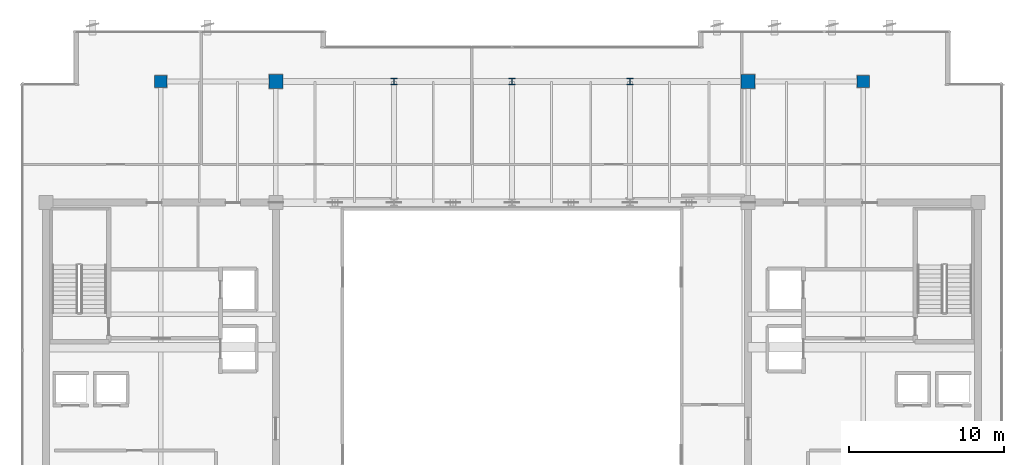
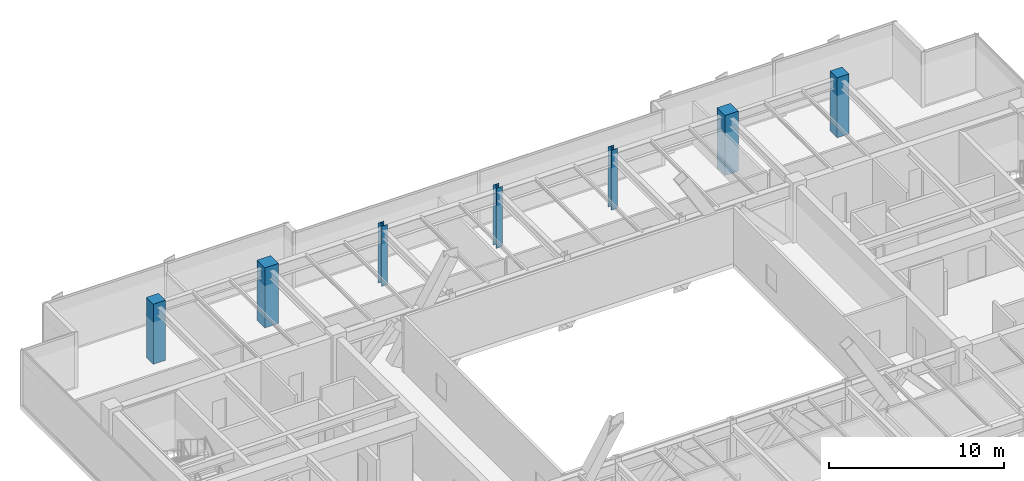
# One storey, part 3 of 32: 7 columns.
"""IFC4 building model written with IfcOpenShell, lengths in metres."""

from ifc_helpers import new_model, si_unit, direction, frame, origin, origin_2d, place, context, subcontext, project, spatial, rectangle, i_section, extrude, source, transform, mapped, material, material_profile, profile_set, type_object, type_shapes, element, save


model = new_model("IFC4")

# Units and contexts
model_context = context("Model", 3, precision=1e-05, world=origin(), true_north=direction((0.0, 1.0)))
body_context = subcontext(model_context, "Body", "Model", "MODEL_VIEW")
ifc_project = project(units=[si_unit("LENGTHUNIT", "METRE"), si_unit("AREAUNIT", "SQUARE_METRE"), si_unit("VOLUMEUNIT", "CUBIC_METRE"), si_unit("PLANEANGLEUNIT", "RADIAN"), si_unit("MASSUNIT", "GRAM", prefix="KILO")], contexts=[model_context])

# Site, building, storey
site_placement = place(None, origin())
site = spatial("IfcSite", under=ifc_project, at=site_placement, CompositionType="ELEMENT")
building_placement = place(site_placement, origin())
building = spatial("IfcBuilding", under=site, at=building_placement, Name="Haelvirn Gate Laboratories", CompositionType="ELEMENT")
storey_placement = place(building_placement, frame((0.0, 0.0, 306.0)))
storey = spatial("IfcBuildingStorey", under=building, at=storey_placement, Name="L73", CompositionType="ELEMENT", Elevation=306.0)

# Columns
ifc_material_1 = material(Name="Concrete C50/60", Category="concrete")
ifc_material_profile_1 = material_profile(ifc_material_1, rectangle(XDim=0.800048828125, YDim=0.800048828125, at=origin_2d()), Name="RC-800x800")
ifc_profile_set_1 = profile_set([ifc_material_profile_1], Name="Concrete C50/60")
column_type_1 = type_object("IfcColumnType", Name="COL-RC-800", PredefinedType="COLUMN", material=ifc_profile_set_1)
shared_shape_1 = source(origin(), body_context, "Body", "SweptSolid", [
    extrude(rectangle(XDim=0.800048828125, YDim=0.800048828125, at=origin_2d()), origin(), (0.0, 0.0, 1.0), 4.199951171875),
])
type_shapes(column_type_1, [shared_shape_1])
for number, where, z_axis, x_axis, name in (
    (1, (14.800048828125, 41.60009765625, 0.0), (0.0, 0.0, 1.0), (1.0, 0.0, 0.0), "L73 Column 3G"),
    (2, (60.0, 41.60009765625, 0.0), (0.0, 0.0, 1.0), (1.0, 0.0, 0.0), "L73 Column 9G"),
):
    element("IfcColumn", number, at=place(storey_placement, frame(where, z_axis=z_axis, x_axis=x_axis)), inside=storey, type_object=column_type_1, Name=name, PredefinedType="COLUMN", context=body_context, shape_type="MappedRepresentation", body=[
        mapped(shared_shape_1, transform((0.0, 0.0, 0.0), scale=1.0)),
    ])
ifc_material_profile_2 = material_profile(ifc_material_1, rectangle(XDim=0.89990234375, YDim=0.89990234375, at=origin_2d()), Name="RC-900x900")
ifc_profile_set_2 = profile_set([ifc_material_profile_2], Name="Concrete C50/60")
column_type_2 = type_object("IfcColumnType", Name="COL-RC-900", PredefinedType="COLUMN", material=ifc_profile_set_2)
shared_shape_2 = source(origin(), body_context, "Body", "SweptSolid", [
    extrude(rectangle(XDim=0.89990234375, YDim=0.89990234375, at=origin_2d()), origin(), (0.0, 0.0, 1.0), 4.199951171875),
])
type_shapes(column_type_2, [shared_shape_2])
for number, where, z_axis, x_axis, name in (
    (3, (22.199951171875, 41.60009765625, 0.0), (0.0, 0.0, 1.0), (1.0, 0.0, 0.0), "L73 Column 4G"),
    (4, (52.60009765625, 41.60009765625, 0.0), (0.0, 0.0, 1.0), (1.0, 0.0, 0.0), "L73 Column 8G"),
):
    element("IfcColumn", number, at=place(storey_placement, frame(where, z_axis=z_axis, x_axis=x_axis)), inside=storey, type_object=column_type_2, Name=name, PredefinedType="COLUMN", context=body_context, shape_type="MappedRepresentation", body=[
        mapped(shared_shape_2, transform((0.0, 0.0, 0.0), scale=1.0)),
    ])
ifc_material_2 = material(Name="Steel SM355", Category="steel")
ifc_material_profile_3 = material_profile(ifc_material_2, i_section(OverallWidth=0.39990234375, OverallDepth=0.39990234375, WebThickness=0.02099609375, FlangeThickness=0.02099609375, at=origin_2d()), Name="H-400x400x21x21")
ifc_profile_set_3 = profile_set([ifc_material_profile_3], Name="Steel SM355")
column_type_3 = type_object("IfcColumnType", Name="COL-H-400", PredefinedType="COLUMN", material=ifc_profile_set_3)
shared_shape_3 = source(origin(), body_context, "Body", "SweptSolid", [
    extrude(i_section(OverallWidth=0.39990234375, OverallDepth=0.39990234375, WebThickness=0.02099609375, FlangeThickness=0.02099609375, at=origin_2d()), origin(), (0.0, 0.0, 1.0), 4.199951171875),
])
type_shapes(column_type_3, [shared_shape_3])
for number, where, z_axis, x_axis, name in (
    (5, (29.800048828125, 41.60009765625, 0.0), (0.0, 0.0, 1.0), (1.0, 0.0, 0.0), "L73 Column 5G"),
    (6, (37.39990234375, 41.60009765625, 0.0), (0.0, 0.0, 1.0), (1.0, 0.0, 0.0), "L73 Column 6G"),
    (7, (45.0, 41.60009765625, 0.0), (0.0, 0.0, 1.0), (1.0, 0.0, 0.0), "L73 Column 7G"),
):
    element("IfcColumn", number, at=place(storey_placement, frame(where, z_axis=z_axis, x_axis=x_axis)), inside=storey, type_object=column_type_3, Name=name, PredefinedType="COLUMN", context=body_context, shape_type="MappedRepresentation", body=[
        mapped(shared_shape_3, transform((0.0, 0.0, 0.0), scale=1.0)),
    ])

save(model, "model.ifc")
